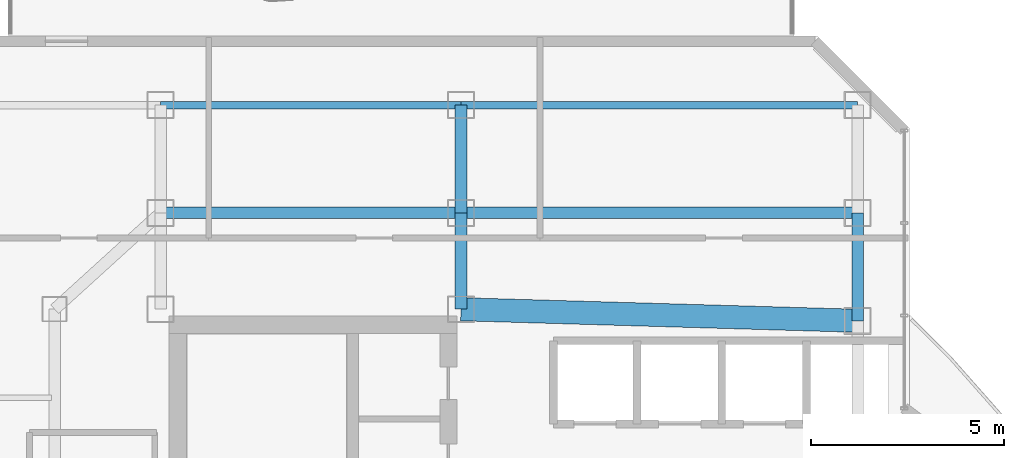
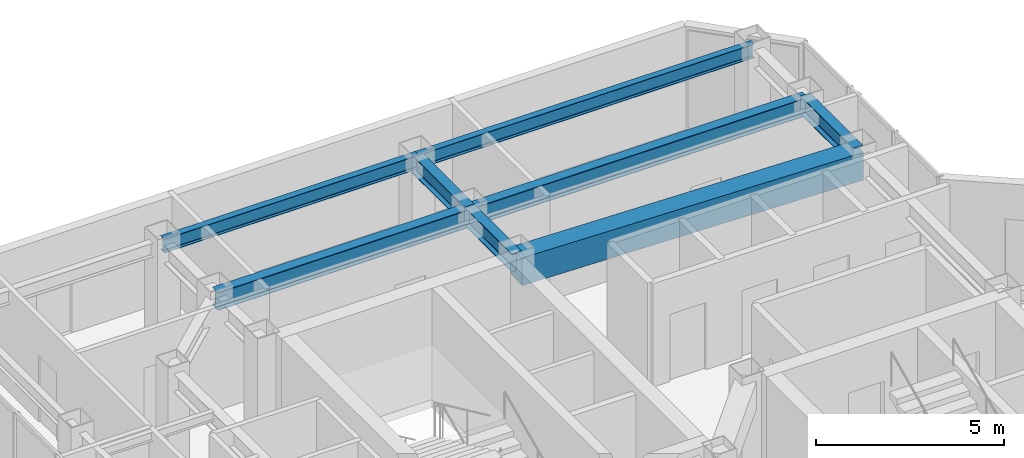
# One storey, part 16 of 25: 8 beams.
"""IFC4 building model written with IfcOpenShell, lengths in metres."""

from ifc_helpers import new_model, si_unit, direction, frame, origin, origin_2d, place, context, subcontext, project, spatial, rectangle, i_section, extrude, material, material_profile, profile_set, type_object, element, save


model = new_model("IFC4")

# Units and contexts
model_context = context("Model", 3, precision=1e-05, world=origin(), true_north=direction((0.0, 1.0)))
body_context = subcontext(model_context, "Body", "Model", "MODEL_VIEW")
ifc_project = project(units=[si_unit("LENGTHUNIT", "METRE"), si_unit("AREAUNIT", "SQUARE_METRE"), si_unit("VOLUMEUNIT", "CUBIC_METRE"), si_unit("PLANEANGLEUNIT", "RADIAN"), si_unit("MASSUNIT", "GRAM", prefix="KILO")], contexts=[model_context])

# Site, building, storey
site_placement = place(None, origin())
site = spatial("IfcSite", under=ifc_project, at=site_placement, CompositionType="ELEMENT")
building_placement = place(site_placement, origin())
building = spatial("IfcBuilding", under=site, at=building_placement, Name="Hatsunagi Terrace Concourse", CompositionType="ELEMENT")
storey_placement = place(building_placement, frame((0.0, 0.0, 216.75)))
storey = spatial("IfcBuildingStorey", under=building, at=storey_placement, Name="L57", CompositionType="ELEMENT", Elevation=216.75)

# Beams
ifc_material_1 = material(Name="Concrete Fc42", Category="concrete")
ifc_material_profile_1 = material_profile(ifc_material_1, rectangle(XDim=0.60009765625, YDim=0.89990234375, at=origin_2d()), Name="RC-600x900")
ifc_profile_set_1 = profile_set([ifc_material_profile_1], Name="Concrete Fc42")
beam_type_1 = type_object("IfcBeamType", Name="CoreCouplingBeam_RC_600x900", PredefinedType="BEAM", material=ifc_profile_set_1)
beam_1_placement = place(storey_placement, frame((33.35009765625, 43.300048828125, 2.89990234375), z_axis=(0.999575947545, -0.029119153303, 0.0), x_axis=(0.029119153303, 0.999575947545, 0.0)))
element("IfcBeam", 1, at=beam_1_placement, inside=storey, type_object=beam_type_1, Name="Beam CB-03 CB-L57-2", PredefinedType="BEAM", context=body_context, shape_type="SweptSolid", body=[
    extrude(rectangle(XDim=0.60009765625, YDim=0.89990234375, at=origin_2d()), origin(), (0.0, 0.0, 1.0), 10.30419921875),
])
ifc_material_2 = material(Name="Steel SN490B", Category="steel")
ifc_material_profile_2 = material_profile(ifc_material_2, i_section(OverallWidth=0.300048828125, OverallDepth=0.587890625, WebThickness=0.011962890625, FlangeThickness=0.02001953125, FilletRadius=0.01806640625, at=origin_2d()), Name="H-588x300x12x20")
ifc_profile_set_2 = profile_set([ifc_material_profile_2], Name="Steel SN490B")
beam_type_2 = type_object("IfcBeamType", Name="OfficeHighGirder_H_588x300", PredefinedType="BEAM", material=ifc_profile_set_2)
beam_2_placement = place(storey_placement, frame((33.35009765625, 43.300048828125, 3.055908203125), z_axis=(0.0, 1.0, 0.0), x_axis=(-1.0, 0.0, 0.0)))
element("IfcBeam", 2, at=beam_2_placement, inside=storey, type_object=beam_type_2, Name="Beam G-06 BM-L57-CN2", PredefinedType="BEAM", context=body_context, shape_type="SweptSolid", body=[
    extrude(i_section(OverallWidth=0.300048828125, OverallDepth=0.587890625, WebThickness=0.011962890625, FlangeThickness=0.02001953125, FilletRadius=0.01806640625, at=origin_2d()), origin(), (0.0, 0.0, 1.0), 2.5),
])
beam_3_placement = place(storey_placement, frame((43.64990234375, 43.0, 3.055908203125), z_axis=(0.0, 1.0, 0.0), x_axis=(-1.0, 0.0, 0.0)))
element("IfcBeam", 3, at=beam_3_placement, inside=storey, type_object=beam_type_2, Name="Beam G-06 BM-L57-CN3", PredefinedType="BEAM", context=body_context, shape_type="SweptSolid", body=[
    extrude(i_section(OverallWidth=0.300048828125, OverallDepth=0.587890625, WebThickness=0.011962890625, FlangeThickness=0.02001953125, FilletRadius=0.01806640625, at=origin_2d()), origin(), (0.0, 0.0, 1.0), 2.800048828125),
])
beam_4_placement = place(storey_placement, frame((25.550048828125, 45.800048828125, 3.055908203125), z_axis=(1.0, 0.0, 0.0), x_axis=(0.0, 1.0, 0.0)))
element("IfcBeam", 4, at=beam_4_placement, inside=storey, type_object=beam_type_2, Name="Beam G-06 BM-L57-CNEW1", PredefinedType="BEAM", context=body_context, shape_type="SweptSolid", body=[
    extrude(i_section(OverallWidth=0.300048828125, OverallDepth=0.587890625, WebThickness=0.011962890625, FlangeThickness=0.02001953125, FilletRadius=0.01806640625, at=origin_2d()), origin(), (0.0, 0.0, 1.0), 7.800048828125),
])
beam_5_placement = place(storey_placement, frame((33.35009765625, 45.800048828125, 3.055908203125), z_axis=(1.0, 0.0, 0.0), x_axis=(0.0, 1.0, 0.0)))
element("IfcBeam", 5, at=beam_5_placement, inside=storey, type_object=beam_type_2, Name="Beam G-06 BM-L57-CNEW2", PredefinedType="BEAM", context=body_context, shape_type="SweptSolid", body=[
    extrude(i_section(OverallWidth=0.300048828125, OverallDepth=0.587890625, WebThickness=0.011962890625, FlangeThickness=0.02001953125, FilletRadius=0.01806640625, at=origin_2d()), origin(), (0.0, 0.0, 1.0), 10.2998046875),
])
beam_6_placement = place(storey_placement, frame((33.35009765625, 45.800048828125, 3.055908203125), z_axis=(0.0, 1.0, 0.0), x_axis=(-1.0, 0.0, 0.0)))
element("IfcBeam", 6, at=beam_6_placement, inside=storey, type_object=beam_type_2, Name="Beam G-06 BM-L57-KN-WN5", PredefinedType="BEAM", context=body_context, shape_type="SweptSolid", body=[
    extrude(i_section(OverallWidth=0.300048828125, OverallDepth=0.587890625, WebThickness=0.011962890625, FlangeThickness=0.02001953125, FilletRadius=0.01806640625, at=origin_2d()), origin(), (0.0, 0.0, 1.0), 2.800048828125),
])
ifc_material_3 = material(Name="Steel SN490B", Category="steel")
ifc_material_profile_3 = material_profile(ifc_material_3, i_section(OverallWidth=0.199951171875, OverallDepth=0.449951171875, WebThickness=0.009033203125, FlangeThickness=0.013916015625, FilletRadius=0.01611328125, at=origin_2d()), Name="H-450x200x9x14")
ifc_profile_set_3 = profile_set([ifc_material_profile_3], Name="Steel SN490B")
beam_type_3 = type_object("IfcBeamType", Name="PerimeterSpandrel_H_450x200", PredefinedType="SPANDREL", material=ifc_profile_set_3)
beam_7_placement = place(storey_placement, frame((25.550048828125, 48.60009765625, 3.125), z_axis=(1.0, 0.0, 0.0), x_axis=(0.0, 1.0, 0.0)))
element("IfcBeam", 7, at=beam_7_placement, inside=storey, type_object=beam_type_3, Name="Beam SP-02 BM-L57-WN-25", PredefinedType="SPANDREL", context=body_context, shape_type="SweptSolid", body=[
    extrude(i_section(OverallWidth=0.199951171875, OverallDepth=0.449951171875, WebThickness=0.009033203125, FlangeThickness=0.013916015625, FilletRadius=0.01611328125, at=origin_2d()), origin(), (0.0, 0.0, 1.0), 7.800048828125),
])
beam_8_placement = place(storey_placement, frame((33.35009765625, 48.60009765625, 3.125), z_axis=(1.0, 0.0, 0.0), x_axis=(0.0, 1.0, 0.0)))
element("IfcBeam", 8, at=beam_8_placement, inside=storey, type_object=beam_type_3, Name="Beam SP-02 BM-L57-WN-33", PredefinedType="SPANDREL", context=body_context, shape_type="SweptSolid", body=[
    extrude(i_section(OverallWidth=0.199951171875, OverallDepth=0.449951171875, WebThickness=0.009033203125, FlangeThickness=0.013916015625, FilletRadius=0.01611328125, at=origin_2d()), origin(), (0.0, 0.0, 1.0), 10.2998046875),
])

save(model, "model.ifc")
